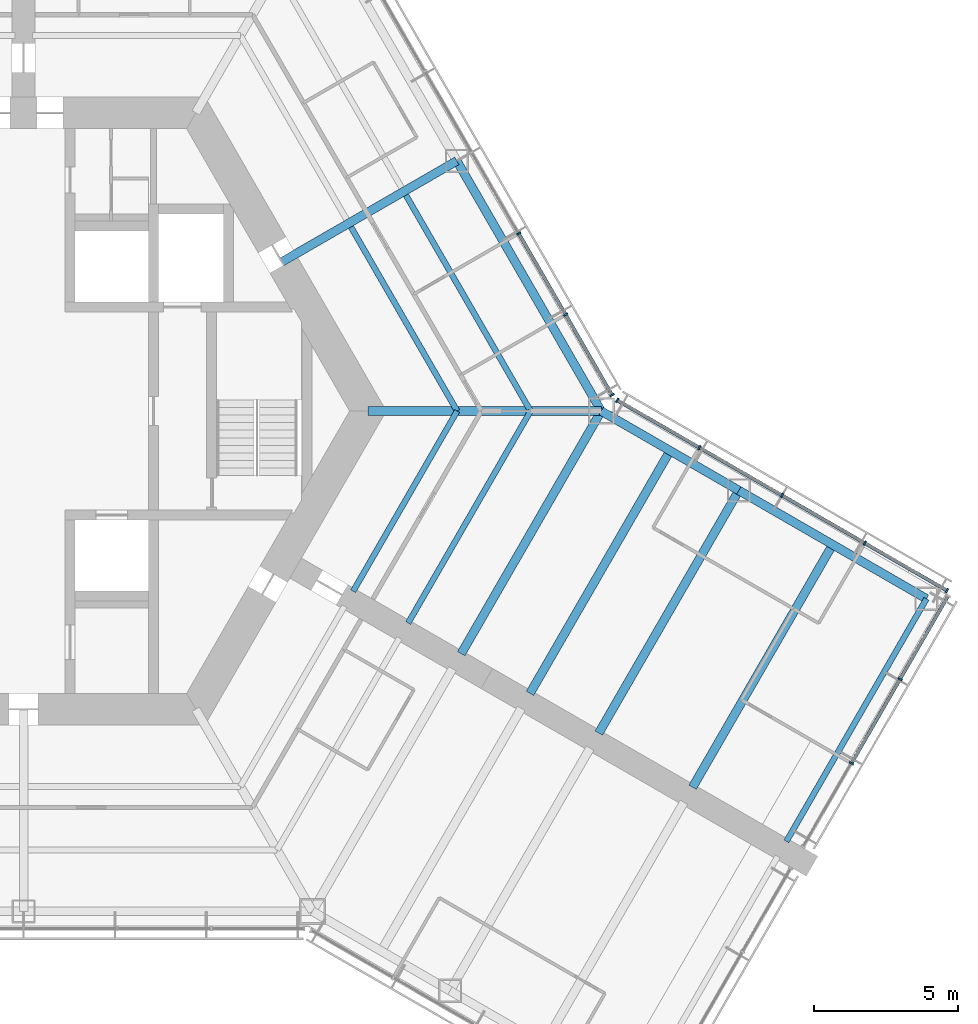
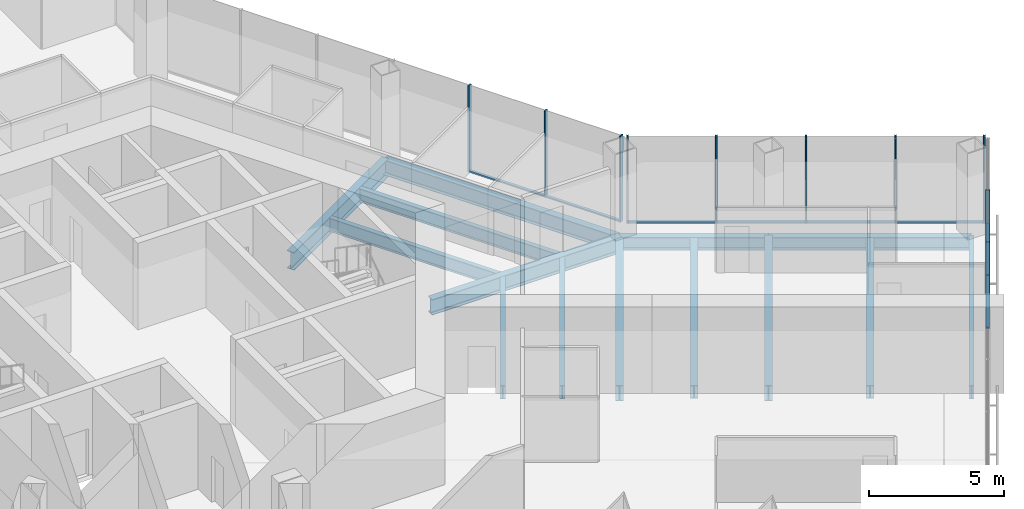
# One storey, part 6 of 19: 18 members, 14 beams, 3 elements without a shape of their own.
"""IFC4 building model written with IfcOpenShell, lengths in metres."""

from ifc_helpers import new_model, si_unit, direction, frame, origin, origin_2d, place, context, subcontext, project, spatial, rectangle, i_section, extrude, material, material_profile, profile_set, type_object, element, aggregate, save


model = new_model("IFC4")

# Units and contexts
model_context = context("Model", 3, precision=1e-05, world=origin(), true_north=direction((0.0, 1.0)))
body_context = subcontext(model_context, "Body", "Model", "MODEL_VIEW")
ifc_project = project(units=[si_unit("LENGTHUNIT", "METRE"), si_unit("AREAUNIT", "SQUARE_METRE"), si_unit("VOLUMEUNIT", "CUBIC_METRE"), si_unit("PLANEANGLEUNIT", "RADIAN"), si_unit("MASSUNIT", "GRAM", prefix="KILO")], contexts=[model_context])

# Site, building, storey
site_placement = place(None, origin())
site = spatial("IfcSite", under=ifc_project, at=site_placement, CompositionType="ELEMENT")
building_placement = place(site_placement, origin())
building = spatial("IfcBuilding", under=site, at=building_placement, Name="Kasaneha Research Tower", CompositionType="ELEMENT")
storey_placement = place(building_placement, frame((0.0, 0.0, 104.10009765625)))
storey = spatial("IfcBuildingStorey", under=building, at=storey_placement, Name="L26", CompositionType="ELEMENT", Elevation=104.10009765625)

# Beams
ifc_material_1 = material(Name="Steel SN490B", Category="steel")
ifc_material_profile_1 = material_profile(ifc_material_1, i_section(OverallWidth=0.199951171875, OverallDepth=0.60009765625, WebThickness=0.010986328125, FlangeThickness=0.01708984375, FilletRadius=0.012939453125, at=origin_2d()), Name="H-600x200x11x17")
ifc_profile_set_1 = profile_set([ifc_material_profile_1], Name="Steel SN490B")
beam_type_1 = type_object("IfcBeamType", Name="B1-3 secondary beam H-600x200x11x17", PredefinedType="JOIST", material=ifc_profile_set_1)
beam_1_placement = place(storey_placement, frame((15.010986328125, 0.0, -0.4501953125), z_axis=(-0.499994443168, 0.866028611999, 0.0), x_axis=(-0.866028611999, -0.499994443168, 0.0)))
element("IfcBeam", 1, at=beam_1_placement, inside=storey, type_object=beam_type_1, Name="Secondary beam RS030L1 L26", PredefinedType="JOIST", context=body_context, shape_type="SweptSolid", body=[
    extrude(i_section(OverallWidth=0.199951171875, OverallDepth=0.60009765625, WebThickness=0.010986328125, FlangeThickness=0.01708984375, FilletRadius=0.012939453125, at=origin_2d()), origin(), (0.0, 0.0, 1.0), 7.35546875),
])
beam_2_placement = place(storey_placement, frame((17.551513671875, 0.0, -0.4501953125), z_axis=(-0.5000050195, 0.866022505755, 0.0), x_axis=(-0.866022505755, -0.5000050195, 0.0)))
element("IfcBeam", 2, at=beam_2_placement, inside=storey, type_object=beam_type_1, Name="Secondary beam RS030L2 L26", PredefinedType="JOIST", context=body_context, shape_type="SweptSolid", body=[
    extrude(i_section(OverallWidth=0.199951171875, OverallDepth=0.60009765625, WebThickness=0.010986328125, FlangeThickness=0.01708984375, FilletRadius=0.012939453125, at=origin_2d()), origin(), (0.0, 0.0, 1.0), 8.6259765625),
])
beam_3_placement = place(storey_placement, frame((15.010986328125, 0.0, -0.4501953125), z_axis=(-0.499972735707, -0.866041144259, 0.0), x_axis=(0.866041144259, -0.499972735707, 0.0)))
element("IfcBeam", 3, at=beam_3_placement, inside=storey, type_object=beam_type_1, Name="Secondary beam RS330R1 L26", PredefinedType="JOIST", context=body_context, shape_type="SweptSolid", body=[
    extrude(i_section(OverallWidth=0.199951171875, OverallDepth=0.60009765625, WebThickness=0.010986328125, FlangeThickness=0.01708984375, FilletRadius=0.012939453125, at=origin_2d()), origin(), (0.0, 0.0, 1.0), 7.20556640625),
])
beam_4_placement = place(storey_placement, frame((17.551513671875, 0.0, -0.4501953125), z_axis=(-0.500020829043, -0.866013377797, 0.0), x_axis=(0.866013377797, -0.500020829043, 0.0)))
element("IfcBeam", 4, at=beam_4_placement, inside=storey, type_object=beam_type_1, Name="Secondary beam RS330R2 L26", PredefinedType="JOIST", context=body_context, shape_type="SweptSolid", body=[
    extrude(i_section(OverallWidth=0.199951171875, OverallDepth=0.60009765625, WebThickness=0.010986328125, FlangeThickness=0.01708984375, FilletRadius=0.012939453125, at=origin_2d()), origin(), (0.0, 0.0, 1.0), 8.475830078125),
])
ifc_material_2 = material(Name="Steel SN490B", Category="steel")
ifc_material_profile_2 = material_profile(ifc_material_2, i_section(OverallWidth=0.300048828125, OverallDepth=0.58203125, WebThickness=0.011962890625, FlangeThickness=0.01708984375, FilletRadius=0.012939453125, at=origin_2d()), Name="H-582x300x12x17")
ifc_profile_set_2 = profile_set([ifc_material_profile_2], Name="Steel SN490B")
beam_type_2 = type_object("IfcBeamType", Name="B2-3 secondary beam H-582x300x12x17", PredefinedType="JOIST", material=ifc_profile_set_2)
for number, where, z_axis, x_axis, name in (
    (5, (22.381591796875, -1.375, -0.441162109375), (-0.500010041276, -0.866019606374, 0.0), (0.866019606374, -0.500010041276, 0.0), "Secondary beam WBCN1 L26"),
    (6, (28.0107421875, -4.625, -0.441162109375), (-0.500010041276, -0.866019606374, 0.0), (0.866019606374, -0.500010041276, 0.0), "Secondary beam WBCN2 L26"),
):
    element("IfcBeam", number, at=place(storey_placement, frame(where, z_axis=z_axis, x_axis=x_axis)), inside=storey, type_object=beam_type_2, Name=name, PredefinedType="JOIST", context=body_context, shape_type="SweptSolid", body=[
        extrude(i_section(OverallWidth=0.300048828125, OverallDepth=0.58203125, WebThickness=0.011962890625, FlangeThickness=0.01708984375, FilletRadius=0.012939453125, at=origin_2d()), origin(), (0.0, 0.0, 1.0), 9.699951171875),
    ])

# Curtain wall, members
ifc_material_3 = material(Name="Glass and aluminium", Category="aluminium")
curtain_wall_type = type_object("IfcCurtainWallType", Name="Low-rise office curtain wall", PredefinedType="USERDEFINED", material=ifc_material_3)
curtain_wall_1_placement = place(storey_placement, origin())
curtain_wall_1 = element("IfcCurtainWall", 7, at=curtain_wall_1_placement, inside=storey, type_object=curtain_wall_type, Name="CW-O1 L26 run 05a", ObjectType="UNITISED CURTAIN WALL", PredefinedType="USERDEFINED")
ifc_material_4 = material(Name="Aluminium 6063-T6", Category="aluminium")
ifc_material_profile_3 = material_profile(ifc_material_4, rectangle(XDim=0.06005859375, YDim=0.159912109375, at=origin_2d()), Name="CW-O1 mullion 60x160")
ifc_profile_set_3 = profile_set([ifc_material_profile_3], Name="Aluminium 6063-T6")
member_type_1 = type_object("IfcMemberType", Name="CW-O1 mullion", PredefinedType="MULLION", material=ifc_profile_set_3)
member_1_placement = place(storey_placement, frame((28.661376953125, -12.1982421875, 0.0), z_axis=(0.0, 0.0, 1.0), x_axis=(0.500000011442, 0.866025397178, 0.0)))
member_1 = element("IfcMember", 8, at=member_1_placement, type_object=member_type_1, Name="CW-O1 mullion 2", PredefinedType="MULLION", context=body_context, shape_type="SweptSolid", body=[
    extrude(rectangle(XDim=0.06005859375, YDim=0.159912109375, at=origin_2d()), origin(), (0.0, 0.0, 1.0), 3.89990234375),
])
member_2_placement = place(storey_placement, frame((30.3447265625, -9.28271484375, 0.0), z_axis=(0.0, 0.0, 1.0), x_axis=(0.500000011442, 0.866025397178, 0.0)))
member_2 = element("IfcMember", 9, at=member_2_placement, type_object=member_type_1, Name="CW-O1 mullion 3", PredefinedType="MULLION", context=body_context, shape_type="SweptSolid", body=[
    extrude(rectangle(XDim=0.06005859375, YDim=0.159912109375, at=origin_2d()), origin(), (0.0, 0.0, 1.0), 3.89990234375),
])

curtain_wall_2_placement = place(storey_placement, origin())
curtain_wall_2 = element("IfcCurtainWall", 10, at=curtain_wall_2_placement, inside=storey, type_object=curtain_wall_type, Name="CW-O1 L26 run 06a", ObjectType="UNITISED CURTAIN WALL", PredefinedType="USERDEFINED")
member_3_placement = place(storey_placement, frame((31.96533203125, -6.21533203125, 0.0), z_axis=(0.0, 0.0, 1.0), x_axis=(-0.866025411464, 0.499999986699, 0.0)))
member_3 = element("IfcMember", 11, at=member_3_placement, type_object=member_type_1, Name="CW-O1 mullion 1", PredefinedType="MULLION", context=body_context, shape_type="SweptSolid", body=[
    extrude(rectangle(XDim=0.06005859375, YDim=0.159912109375, at=origin_2d()), origin(), (0.0, 0.0, 1.0), 3.89990234375),
])
member_4_placement = place(storey_placement, frame((29.125, -4.575439453125, 0.0), z_axis=(0.0, 0.0, 1.0), x_axis=(-0.866025411464, 0.499999986699, 0.0)))
member_4 = element("IfcMember", 12, at=member_4_placement, type_object=member_type_1, Name="CW-O1 mullion 2", PredefinedType="MULLION", context=body_context, shape_type="SweptSolid", body=[
    extrude(rectangle(XDim=0.06005859375, YDim=0.159912109375, at=origin_2d()), origin(), (0.0, 0.0, 1.0), 3.89990234375),
])
member_5_placement = place(storey_placement, frame((26.258544921875, -2.920654296875, 0.0), z_axis=(0.0, 0.0, 1.0), x_axis=(-0.866025411464, 0.499999986699, 0.0)))
member_5 = element("IfcMember", 13, at=member_5_placement, type_object=member_type_1, Name="CW-O1 mullion 3", PredefinedType="MULLION", context=body_context, shape_type="SweptSolid", body=[
    extrude(rectangle(XDim=0.06005859375, YDim=0.159912109375, at=origin_2d()), origin(), (0.0, 0.0, 1.0), 3.89990234375),
])
member_6_placement = place(storey_placement, frame((23.39208984375, -1.265625, 0.0), z_axis=(0.0, 0.0, 1.0), x_axis=(-0.866025411464, 0.499999986699, 0.0)))
member_6 = element("IfcMember", 14, at=member_6_placement, type_object=member_type_1, Name="CW-O1 mullion 4", PredefinedType="MULLION", context=body_context, shape_type="SweptSolid", body=[
    extrude(rectangle(XDim=0.06005859375, YDim=0.159912109375, at=origin_2d()), origin(), (0.0, 0.0, 1.0), 3.89990234375),
])
member_7_placement = place(storey_placement, frame((20.5517578125, 0.374267578125, 0.0), z_axis=(0.0, 0.0, 1.0), x_axis=(-0.866025411464, 0.499999986699, 0.0)))
member_7 = element("IfcMember", 15, at=member_7_placement, type_object=member_type_1, Name="CW-O1 mullion 5", PredefinedType="MULLION", context=body_context, shape_type="SweptSolid", body=[
    extrude(rectangle(XDim=0.06005859375, YDim=0.159912109375, at=origin_2d()), origin(), (0.0, 0.0, 1.0), 3.89990234375),
])

curtain_wall_3_placement = place(storey_placement, origin())
curtain_wall_3 = element("IfcCurtainWall", 16, at=curtain_wall_3_placement, inside=storey, type_object=curtain_wall_type, Name="CW-O1 L26 run 07a", ObjectType="UNITISED CURTAIN WALL", PredefinedType="USERDEFINED")
member_8_placement = place(storey_placement, frame((20.374267578125, 0.5517578125, 0.0), z_axis=(0.0, 0.0, 1.0), x_axis=(-0.49999996188, 0.866025425793, 0.0)))
member_8 = element("IfcMember", 17, at=member_8_placement, type_object=member_type_1, Name="CW-O1 mullion 1", PredefinedType="MULLION", context=body_context, shape_type="SweptSolid", body=[
    extrude(rectangle(XDim=0.06005859375, YDim=0.159912109375, at=origin_2d()), origin(), (0.0, 0.0, 1.0), 3.89990234375),
])
member_9_placement = place(storey_placement, frame((18.76611328125, 3.33740234375, 0.0), z_axis=(0.0, 0.0, 1.0), x_axis=(-0.49999996188, 0.866025425793, 0.0)))
member_9 = element("IfcMember", 18, at=member_9_placement, type_object=member_type_1, Name="CW-O1 mullion 2", PredefinedType="MULLION", context=body_context, shape_type="SweptSolid", body=[
    extrude(rectangle(XDim=0.06005859375, YDim=0.159912109375, at=origin_2d()), origin(), (0.0, 0.0, 1.0), 3.89990234375),
])
member_10_placement = place(storey_placement, frame((17.142822265625, 6.148681640625, 0.0), z_axis=(0.0, 0.0, 1.0), x_axis=(-0.49999996188, 0.866025425793, 0.0)))
member_10 = element("IfcMember", 19, at=member_10_placement, type_object=member_type_1, Name="CW-O1 mullion 3", PredefinedType="MULLION", context=body_context, shape_type="SweptSolid", body=[
    extrude(rectangle(XDim=0.06005859375, YDim=0.159912109375, at=origin_2d()), origin(), (0.0, 0.0, 1.0), 3.89990234375),
])

# Member
ifc_material_5 = material(Name="Aluminium 6063-T6", Category="aluminium")
ifc_material_profile_4 = material_profile(ifc_material_5, rectangle(XDim=0.1201171875, YDim=0.06005859375, at=origin_2d()), Name="CW-O1 transom 120x60")
ifc_profile_set_4 = profile_set([ifc_material_profile_4], Name="Aluminium 6063-T6")
member_type_2 = type_object("IfcMemberType", Name="CW-O1 transom", PredefinedType="USERDEFINED", material=ifc_profile_set_4)
member_11_placement = place(storey_placement, frame((28.67626953125, -12.17236328125, 0.02978515625), z_axis=(0.499982354831, 0.866035590988, 0.0), x_axis=(-0.866035590988, 0.499982354831, 0.0)))
member_11 = element("IfcMember", 20, at=member_11_placement, type_object=member_type_2, Name="CW-O1 transom 2", ObjectType="TRANSOM", PredefinedType="USERDEFINED", context=body_context, shape_type="SweptSolid", body=[
    extrude(rectangle(XDim=0.1201171875, YDim=0.06005859375, at=origin_2d()), origin(), (0.0, 0.0, 1.0), 3.306640625),
])

member_12_placement = place(storey_placement, frame((30.359619140625, -9.256591796875, 0.02978515625), z_axis=(0.500025583411, 0.866010632691, 0.0), x_axis=(-0.866010632691, 0.500025583411, 0.0)))
member_12 = element("IfcMember", 21, at=member_12_placement, type_object=member_type_2, Name="CW-O1 transom 3", ObjectType="TRANSOM", PredefinedType="USERDEFINED", context=body_context, shape_type="SweptSolid", body=[
    extrude(rectangle(XDim=0.1201171875, YDim=0.06005859375, at=origin_2d()), origin(), (0.0, 0.0, 1.0), 3.276611328125),
])

aggregate(curtain_wall_1, [member_1, member_2, member_11, member_12])

member_13_placement = place(storey_placement, frame((31.939453125, -6.200439453125, 0.02978515625), z_axis=(-0.866041647767, 0.499971863542, 0.0), x_axis=(-0.499971863542, -0.866041647767, 0.0)))
member_13 = element("IfcMember", 22, at=member_13_placement, type_object=member_type_2, Name="CW-O1 transom 1", ObjectType="TRANSOM", PredefinedType="USERDEFINED", context=body_context, shape_type="SweptSolid", body=[
    extrude(rectangle(XDim=0.1201171875, YDim=0.06005859375, at=origin_2d()), origin(), (0.0, 0.0, 1.0), 3.219970703125),
])

member_14_placement = place(storey_placement, frame((29.098876953125, -4.560546875, 0.02978515625), z_axis=(-0.86599666273, 0.500049777664, 0.0), x_axis=(-0.500049777664, -0.86599666273, 0.0)))
member_14 = element("IfcMember", 23, at=member_14_placement, type_object=member_type_2, Name="CW-O1 transom 2", ObjectType="TRANSOM", PredefinedType="USERDEFINED", context=body_context, shape_type="SweptSolid", body=[
    extrude(rectangle(XDim=0.1201171875, YDim=0.06005859375, at=origin_2d()), origin(), (0.0, 0.0, 1.0), 3.249755859375),
])

member_15_placement = place(storey_placement, frame((26.232666015625, -2.905517578125, 0.02978515625), z_axis=(-0.86604797581, 0.499960902066, 0.0), x_axis=(-0.499960902066, -0.86604797581, 0.0)))
member_15 = element("IfcMember", 24, at=member_15_placement, type_object=member_type_2, Name="CW-O1 transom 3", ObjectType="TRANSOM", PredefinedType="USERDEFINED", context=body_context, shape_type="SweptSolid", body=[
    extrude(rectangle(XDim=0.1201171875, YDim=0.06005859375, at=origin_2d()), origin(), (0.0, 0.0, 1.0), 3.249755859375),
])

member_16_placement = place(storey_placement, frame((23.3662109375, -1.250732421875, 0.02978515625), z_axis=(-0.866022692473, 0.500004696101, 0.0), x_axis=(-0.500004696101, -0.866022692473, 0.0)))
member_16 = element("IfcMember", 25, at=member_16_placement, type_object=member_type_2, Name="CW-O1 transom 4", ObjectType="TRANSOM", PredefinedType="USERDEFINED", context=body_context, shape_type="SweptSolid", body=[
    extrude(rectangle(XDim=0.1201171875, YDim=0.06005859375, at=origin_2d()), origin(), (0.0, 0.0, 1.0), 3.2197265625),
])

aggregate(curtain_wall_2, [member_3, member_4, member_5, member_6, member_7, member_13, member_14, member_15, member_16])

member_17_placement = place(storey_placement, frame((20.359130859375, 0.577880859375, 0.02978515625), z_axis=(-0.499999210213, 0.866025859768, 0.0), x_axis=(-0.866025859768, -0.499999210213, 0.0)))
member_17 = element("IfcMember", 26, at=member_17_placement, type_object=member_type_2, Name="CW-O1 transom 1", ObjectType="TRANSOM", PredefinedType="USERDEFINED", context=body_context, shape_type="SweptSolid", body=[
    extrude(rectangle(XDim=0.1201171875, YDim=0.06005859375, at=origin_2d()), origin(), (0.0, 0.0, 1.0), 3.15625),
])

member_18_placement = place(storey_placement, frame((18.7509765625, 3.36328125, 0.02978515625), z_axis=(-0.500012062035, 0.866018439653, 0.0), x_axis=(-0.866018439653, -0.500012062035, 0.0)))
member_18 = element("IfcMember", 27, at=member_18_placement, type_object=member_type_2, Name="CW-O1 transom 2", ObjectType="TRANSOM", PredefinedType="USERDEFINED", context=body_context, shape_type="SweptSolid", body=[
    extrude(rectangle(XDim=0.1201171875, YDim=0.06005859375, at=origin_2d()), origin(), (0.0, 0.0, 1.0), 3.1865234375),
])

aggregate(curtain_wall_3, [member_8, member_9, member_10, member_17, member_18])

# Beams
ifc_material_6 = material(Name="Steel SN490B", Category="steel")
ifc_material_profile_5 = material_profile(ifc_material_6, i_section(OverallWidth=0.300048828125, OverallDepth=0.699951171875, WebThickness=0.012939453125, FlangeThickness=0.02392578125, FilletRadius=0.01806640625, at=origin_2d()), Name="H-700x300x13x24")
ifc_profile_set_5 = profile_set([ifc_material_profile_5], Name="Steel SN490B")
beam_type_3 = type_object("IfcBeamType", Name="G1-3 radial girder H-700x300x13x24", PredefinedType="BEAM", material=ifc_profile_set_5)
beam_5_placement = place(storey_placement, frame((11.92236328125, 0.0, -0.5), z_axis=(1.0, 0.0, 0.0), x_axis=(0.0, 1.0, 0.0)))
element("IfcBeam", 28, at=beam_5_placement, inside=storey, type_object=beam_type_3, Name="Radial girder RV000 L26", PredefinedType="BEAM", context=body_context, shape_type="SweptSolid", body=[
    extrude(i_section(OverallWidth=0.300048828125, OverallDepth=0.699951171875, WebThickness=0.012939453125, FlangeThickness=0.02392578125, FilletRadius=0.01806640625, at=origin_2d()), origin(), (0.0, 0.0, 1.0), 8.07763671875),
])
ifc_material_7 = material(Name="Steel SN490B", Category="steel")
ifc_material_profile_6 = material_profile(ifc_material_7, i_section(OverallWidth=0.300048828125, OverallDepth=0.800048828125, WebThickness=0.013916015625, FlangeThickness=0.02587890625, FilletRadius=0.01806640625, at=origin_2d()), Name="H-800x300x14x26")
ifc_profile_set_6 = profile_set([ifc_material_profile_6], Name="Steel SN490B")
beam_type_4 = type_object("IfcBeamType", Name="G2-3 radial girder H-800x300x14x26", PredefinedType="BEAM", material=ifc_profile_set_6)
beam_6_placement = place(storey_placement, frame((8.941650390625, 5.16259765625, -0.550048828125), z_axis=(0.866039713508, 0.499975214012, 0.0), x_axis=(-0.499975214012, 0.866039713508, 0.0)))
element("IfcBeam", 29, at=beam_6_placement, inside=storey, type_object=beam_type_4, Name="Radial girder RM030 L26", PredefinedType="BEAM", context=body_context, shape_type="SweptSolid", body=[
    extrude(i_section(OverallWidth=0.300048828125, OverallDepth=0.800048828125, WebThickness=0.013916015625, FlangeThickness=0.02587890625, FilletRadius=0.01806640625, at=origin_2d()), origin(), (0.0, 0.0, 1.0), 6.995361328125),
])
ifc_material_8 = material(Name="Steel SN490B", Category="steel")
ifc_material_profile_7 = material_profile(ifc_material_8, i_section(OverallWidth=0.300048828125, OverallDepth=0.69189453125, WebThickness=0.012939453125, FlangeThickness=0.02001953125, FilletRadius=0.01806640625, at=origin_2d()), Name="H-692x300x13x20")
ifc_profile_set_7 = profile_set([ifc_material_profile_7], Name="Steel SN490B")
beam_type_5 = type_object("IfcBeamType", Name="G3-3 plate edge girder H-692x300x13x20", PredefinedType="BEAM", material=ifc_profile_set_7)
beam_7_placement = place(storey_placement, frame((20.0, 0.0, -0.49609375), z_axis=(-0.500010041276, -0.866019606374, 0.0), x_axis=(0.866019606374, -0.500010041276, 0.0)))
element("IfcBeam", 30, at=beam_7_placement, inside=storey, type_object=beam_type_5, Name="Plate edge girder PECN L26", PredefinedType="BEAM", context=body_context, shape_type="SweptSolid", body=[
    extrude(i_section(OverallWidth=0.300048828125, OverallDepth=0.69189453125, WebThickness=0.012939453125, FlangeThickness=0.02001953125, FilletRadius=0.01806640625, at=origin_2d()), origin(), (0.0, 0.0, 1.0), 9.699951171875),
])
ifc_material_9 = material(Name="Steel SN490B", Category="steel")
ifc_material_profile_8 = material_profile(ifc_material_9, i_section(OverallWidth=0.300048828125, OverallDepth=0.699951171875, WebThickness=0.012939453125, FlangeThickness=0.02392578125, FilletRadius=0.01806640625, at=origin_2d()), Name="H-700x300x13x24")
ifc_profile_set_8 = profile_set([ifc_material_profile_8], Name="Steel SN490B")
beam_type_6 = type_object("IfcBeamType", Name="G4-3 wing girder H-700x300x13x24", PredefinedType="BEAM", material=ifc_profile_set_8)
beam_8_placement = place(storey_placement, frame((24.76318359375, -2.75, -0.5), z_axis=(-0.500010041276, -0.866019606374, 0.0), x_axis=(0.866019606374, -0.500010041276, 0.0)))
element("IfcBeam", 31, at=beam_8_placement, inside=storey, type_object=beam_type_6, Name="Wing girder WGCN L26", PredefinedType="BEAM", context=body_context, shape_type="SweptSolid", body=[
    extrude(i_section(OverallWidth=0.300048828125, OverallDepth=0.699951171875, WebThickness=0.012939453125, FlangeThickness=0.02392578125, FilletRadius=0.01806640625, at=origin_2d()), origin(), (0.0, 0.0, 1.0), 9.699951171875),
])
ifc_material_10 = material(Name="Steel SN490B", Category="steel")
ifc_material_profile_9 = material_profile(ifc_material_10, i_section(OverallWidth=0.300048828125, OverallDepth=0.69189453125, WebThickness=0.012939453125, FlangeThickness=0.02001953125, FilletRadius=0.01806640625, at=origin_2d()), Name="H-692x300x13x20")
ifc_profile_set_9 = profile_set([ifc_material_profile_9], Name="Steel SN490B")
beam_type_7 = type_object("IfcBeamType", Name="SB1-3 spandrel beam H-692x300x13x20", PredefinedType="SPANDREL", material=ifc_profile_set_9)
beam_9_placement = place(storey_placement, frame((20.0, 0.0, -0.49609375), z_axis=(-0.500004234368, 0.866022959057, 0.0), x_axis=(-0.866022959057, -0.500004234368, 0.0)))
element("IfcBeam", 32, at=beam_9_placement, inside=storey, type_object=beam_type_7, Name="Spandrel beam SR030L L26", PredefinedType="SPANDREL", context=body_context, shape_type="SweptSolid", body=[
    extrude(i_section(OverallWidth=0.300048828125, OverallDepth=0.69189453125, WebThickness=0.012939453125, FlangeThickness=0.02001953125, FilletRadius=0.01806640625, at=origin_2d()), origin(), (0.0, 0.0, 1.0), 10.0),
])
ifc_material_11 = material(Name="Steel SN490B", Category="steel")
ifc_material_profile_10 = material_profile(ifc_material_11, i_section(OverallWidth=0.300048828125, OverallDepth=0.58203125, WebThickness=0.011962890625, FlangeThickness=0.01708984375, FilletRadius=0.012939453125, at=origin_2d()), Name="H-582x300x12x17")
ifc_profile_set_10 = profile_set([ifc_material_profile_10], Name="Steel SN490B")
beam_type_8 = type_object("IfcBeamType", Name="SB2-3 spandrel beam H-582x300x12x17", PredefinedType="SPANDREL", material=ifc_profile_set_10)
beam_10_placement = place(storey_placement, frame((20.0, 0.0, -0.441162109375), z_axis=(0.866027397988, -0.499996545922, 0.0), x_axis=(0.499996545922, 0.866027397988, 0.0)))
element("IfcBeam", 33, at=beam_10_placement, inside=storey, type_object=beam_type_8, Name="Spandrel beam WSCN1 L26", PredefinedType="SPANDREL", context=body_context, shape_type="SweptSolid", body=[
    extrude(i_section(OverallWidth=0.300048828125, OverallDepth=0.58203125, WebThickness=0.011962890625, FlangeThickness=0.01708984375, FilletRadius=0.012939453125, at=origin_2d()), origin(), (0.0, 0.0, 1.0), 5.5),
])
beam_11_placement = place(storey_placement, frame((24.76318359375, -2.75, -0.441162109375), z_axis=(0.866022959057, -0.500004234368, 0.0), x_axis=(0.500004234368, 0.866022959057, 0.0)))
element("IfcBeam", 34, at=beam_11_placement, inside=storey, type_object=beam_type_8, Name="Spandrel beam WSCN2 L26", PredefinedType="SPANDREL", context=body_context, shape_type="SweptSolid", body=[
    extrude(i_section(OverallWidth=0.300048828125, OverallDepth=0.58203125, WebThickness=0.011962890625, FlangeThickness=0.01708984375, FilletRadius=0.012939453125, at=origin_2d()), origin(), (0.0, 0.0, 1.0), 7.5),
])
ifc_material_12 = material(Name="Steel SN490B", Category="steel")
ifc_material_profile_11 = material_profile(ifc_material_12, i_section(OverallWidth=0.199951171875, OverallDepth=0.60009765625, WebThickness=0.010986328125, FlangeThickness=0.01708984375, FilletRadius=0.012939453125, at=origin_2d()), Name="H-600x200x11x17")
ifc_profile_set_11 = profile_set([ifc_material_profile_11], Name="Steel SN490B")
beam_type_9 = type_object("IfcBeamType", Name="SB3-3 spandrel beam H-600x200x11x17", PredefinedType="SPANDREL", material=ifc_profile_set_11)
beam_12_placement = place(storey_placement, frame((31.25830078125, -6.5, -0.4501953125), z_axis=(-0.499991164321, -0.866030505006, 0.0), x_axis=(0.866030505006, -0.499991164321, 0.0)))
element("IfcBeam", 35, at=beam_12_placement, inside=storey, type_object=beam_type_9, Name="Spandrel beam WTCN L26", PredefinedType="SPANDREL", context=body_context, shape_type="SweptSolid", body=[
    extrude(i_section(OverallWidth=0.199951171875, OverallDepth=0.60009765625, WebThickness=0.010986328125, FlangeThickness=0.01708984375, FilletRadius=0.012939453125, at=origin_2d()), origin(), (0.0, 0.0, 1.0), 9.699951171875),
])

save(model, "model.ifc")
